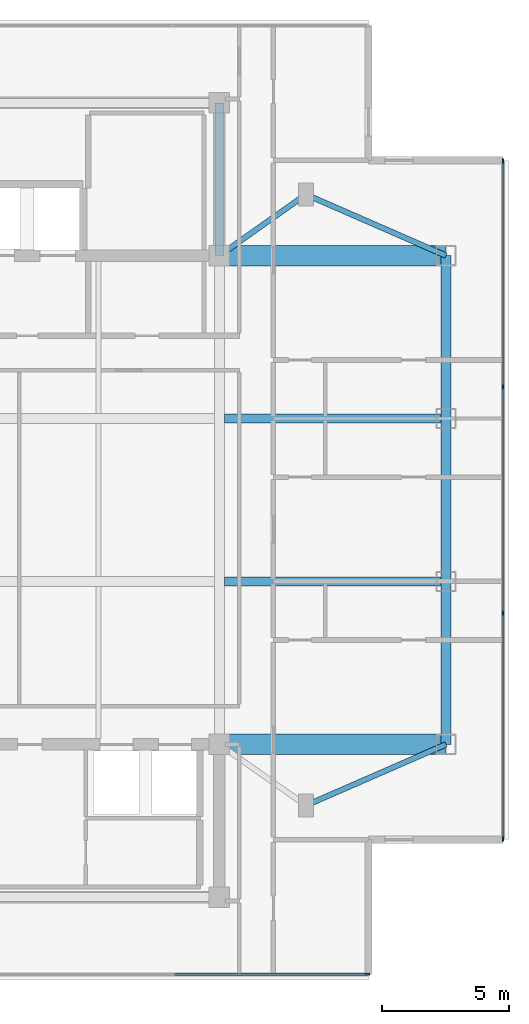
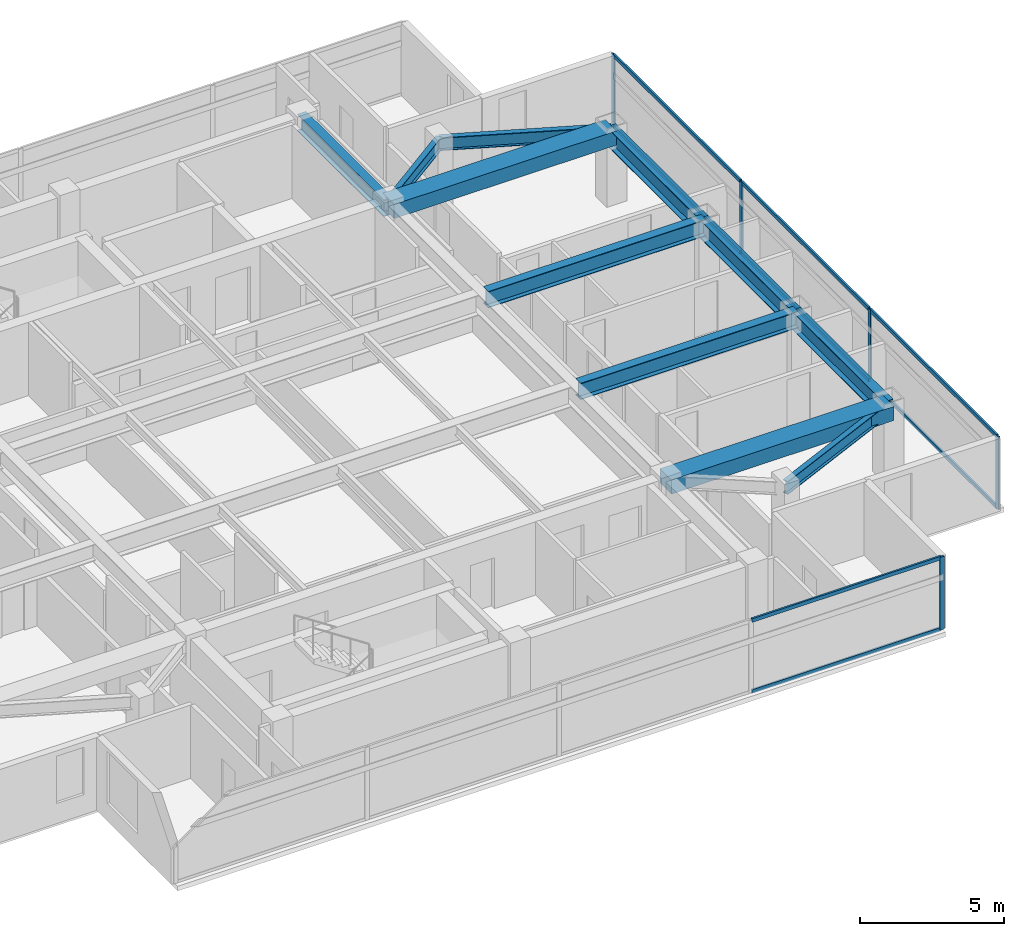
# One storey, part 4 of 12: 13 members, 11 beams, 2 elements without a shape of their own.
"""IFC4 building model written with IfcOpenShell, lengths in metres."""

from ifc_helpers import new_model, si_unit, direction, frame, origin, origin_2d, place, context, subcontext, project, spatial, rectangle, i_section, extrude, material, material_profile, profile_set, type_object, element, aggregate, save


model = new_model("IFC4")

# Units and contexts
model_context = context("Model", 3, precision=1e-05, world=origin(), true_north=direction((0.0, 1.0)))
body_context = subcontext(model_context, "Body", "Model", "MODEL_VIEW")
ifc_project = project(units=[si_unit("LENGTHUNIT", "METRE"), si_unit("AREAUNIT", "SQUARE_METRE"), si_unit("VOLUMEUNIT", "CUBIC_METRE"), si_unit("PLANEANGLEUNIT", "RADIAN"), si_unit("MASSUNIT", "GRAM", prefix="KILO")], contexts=[model_context])

# Site, building, storey
site_placement = place(None, origin())
site = spatial("IfcSite", under=ifc_project, at=site_placement, CompositionType="ELEMENT")
building_placement = place(site_placement, origin())
building = spatial("IfcBuilding", under=site, at=building_placement, Name="Mirazonda Arch Towers", CompositionType="ELEMENT")
storey_placement = place(building_placement, frame((0.0, 0.0, 226.0)))
storey = spatial("IfcBuildingStorey", under=building, at=storey_placement, Name="L64", CompositionType="ELEMENT", Elevation=226.0)

# Beams
ifc_material_1 = material(Name="Steel ASTM A992 Grade 50", Category="steel")
ifc_material_profile_1 = material_profile(ifc_material_1, i_section(OverallWidth=0.381103515625, OverallDepth=0.77294921875, WebThickness=0.0166015625, FlangeThickness=0.027099609375, at=origin_2d()), Name="W30X173")
ifc_profile_set_1 = profile_set([ifc_material_profile_1], Name="Steel ASTM A992 Grade 50")
beam_type_1 = type_object("IfcBeamType", Name="BM-EXT-W30X173", PredefinedType="USERDEFINED", material=ifc_profile_set_1)
beam_1_placement = place(storey_placement, frame((38.89990234375, 18.39990234375, 2.71337890625), z_axis=(0.0, 1.0, 0.0), x_axis=(-1.0, 0.0, 0.0)))
element("IfcBeam", 1, at=beam_1_placement, inside=storey, type_object=beam_type_1, Name="L64 Floor Beam BM-T1-L64-NS-E-18", ObjectType="GIRDER", PredefinedType="USERDEFINED", context=body_context, shape_type="SweptSolid", body=[
    extrude(i_section(OverallWidth=0.381103515625, OverallDepth=0.77294921875, WebThickness=0.0166015625, FlangeThickness=0.027099609375, at=origin_2d()), origin(), (0.0, 0.0, 1.0), 6.400146484375),
])
beam_2_placement = place(storey_placement, frame((38.89990234375, 24.800048828125, 2.71337890625), z_axis=(0.0, 1.0, 0.0), x_axis=(-1.0, 0.0, 0.0)))
element("IfcBeam", 2, at=beam_2_placement, inside=storey, type_object=beam_type_1, Name="L64 Floor Beam BM-T1-L64-NS-E-24", ObjectType="GIRDER", PredefinedType="USERDEFINED", context=body_context, shape_type="SweptSolid", body=[
    extrude(i_section(OverallWidth=0.381103515625, OverallDepth=0.77294921875, WebThickness=0.0166015625, FlangeThickness=0.027099609375, at=origin_2d()), origin(), (0.0, 0.0, 1.0), 6.39990234375),
])
beam_3_placement = place(storey_placement, frame((38.89990234375, 31.199951171875, 2.71337890625), z_axis=(0.0, 1.0, 0.0), x_axis=(-1.0, 0.0, 0.0)))
element("IfcBeam", 3, at=beam_3_placement, inside=storey, type_object=beam_type_1, Name="L64 Floor Beam BM-T1-L64-NS-E-31", ObjectType="GIRDER", PredefinedType="USERDEFINED", context=body_context, shape_type="SweptSolid", body=[
    extrude(i_section(OverallWidth=0.381103515625, OverallDepth=0.77294921875, WebThickness=0.0166015625, FlangeThickness=0.027099609375, at=origin_2d()), origin(), (0.0, 0.0, 1.0), 6.400146484375),
])
ifc_material_profile_2 = material_profile(ifc_material_1, i_section(OverallWidth=0.214111328125, OverallDepth=0.549072265625, WebThickness=0.0146484375, FlangeThickness=0.023681640625, at=origin_2d()), Name="W21X93")
ifc_profile_set_2 = profile_set([ifc_material_profile_2], Name="Steel ASTM A992 Grade 50")
beam_type_2 = type_object("IfcBeamType", Name="BM-INT-W21X93", PredefinedType="BEAM", material=ifc_profile_set_2)
beam_4_placement = place(storey_placement, frame((33.39990234375, 16.0, 2.825439453125), z_axis=(0.916545343703, 0.399930785183, 0.0), x_axis=(-0.399930785183, 0.916545343703, 0.0)))
element("IfcBeam", 4, at=beam_4_placement, inside=storey, type_object=beam_type_2, Name="L64 Floor Beam BM-T1-L64-PL-SE2", PredefinedType="BEAM", context=body_context, shape_type="SweptSolid", body=[
    extrude(i_section(OverallWidth=0.214111328125, OverallDepth=0.549072265625, WebThickness=0.0146484375, FlangeThickness=0.023681640625, at=origin_2d()), origin(), (0.0, 0.0, 1.0), 6.000732421875),
])
beam_5_placement = place(storey_placement, frame((33.39990234375, 40.0, 2.825439453125), z_axis=(-0.816971114901, -0.576678591087, 0.0), x_axis=(0.576678591087, -0.816971114901, 0.0)))
element("IfcBeam", 5, at=beam_5_placement, inside=storey, type_object=beam_type_2, Name="L64 Floor Beam BM-T1-L64-PL-NE1", PredefinedType="BEAM", context=body_context, shape_type="SweptSolid", body=[
    extrude(i_section(OverallWidth=0.214111328125, OverallDepth=0.549072265625, WebThickness=0.0146484375, FlangeThickness=0.023681640625, at=origin_2d()), origin(), (0.0, 0.0, 1.0), 4.16162109375),
])
beam_6_placement = place(storey_placement, frame((33.39990234375, 40.0, 2.825439453125), z_axis=(0.916545343703, -0.399930785183, 0.0), x_axis=(0.399930785183, 0.916545343703, 0.0)))
element("IfcBeam", 6, at=beam_6_placement, inside=storey, type_object=beam_type_2, Name="L64 Floor Beam BM-T1-L64-PL-NE2", PredefinedType="BEAM", context=body_context, shape_type="SweptSolid", body=[
    extrude(i_section(OverallWidth=0.214111328125, OverallDepth=0.549072265625, WebThickness=0.0146484375, FlangeThickness=0.023681640625, at=origin_2d()), origin(), (0.0, 0.0, 1.0), 6.000732421875),
])
ifc_material_profile_3 = material_profile(ifc_material_1, i_section(OverallWidth=0.35498046875, OverallDepth=0.696044921875, WebThickness=0.015380859375, FlangeThickness=0.02490234375, at=origin_2d()), Name="W27X146")
ifc_profile_set_3 = profile_set([ifc_material_profile_3], Name="Steel ASTM A992 Grade 50")
beam_type_3 = type_object("IfcBeamType", Name="BM-INT-W27X146", PredefinedType="BEAM", material=ifc_profile_set_3)
for number, where, z_axis, x_axis, name in (
    (7, (30.199951171875, 24.800048828125, 2.751953125), (1.0, 0.0, 0.0), (0.0, 1.0, 0.0), "L64 Floor Beam BM-T1-L64-GE2"),
    (8, (30.199951171875, 31.199951171875, 2.751953125), (1.0, 0.0, 0.0), (0.0, 1.0, 0.0), "L64 Floor Beam BM-T1-L64-GE3"),
):
    element("IfcBeam", number, at=place(storey_placement, frame(where, z_axis=z_axis, x_axis=x_axis)), inside=storey, type_object=beam_type_3, Name=name, PredefinedType="BEAM", context=body_context, shape_type="SweptSolid", body=[
        extrude(i_section(OverallWidth=0.35498046875, OverallDepth=0.696044921875, WebThickness=0.015380859375, FlangeThickness=0.02490234375, at=origin_2d()), origin(), (0.0, 0.0, 1.0), 8.699951171875),
    ])
beam_7_placement = place(storey_placement, frame((30.0, 37.60009765625, 2.751953125), z_axis=(0.0, 1.0, 0.0), x_axis=(-1.0, 0.0, 0.0)))
element("IfcBeam", 9, at=beam_7_placement, inside=storey, type_object=beam_type_3, Name="L64 Floor Beam BM-T1-L64-CNE", PredefinedType="BEAM", context=body_context, shape_type="SweptSolid", body=[
    extrude(i_section(OverallWidth=0.35498046875, OverallDepth=0.696044921875, WebThickness=0.015380859375, FlangeThickness=0.02490234375, at=origin_2d()), origin(), (0.0, 0.0, 1.0), 6.0),
])
ifc_material_2 = material(Name="Concrete C60/75", Category="concrete")
ifc_material_profile_4 = material_profile(ifc_material_2, rectangle(XDim=0.800048828125, YDim=0.60009765625, at=origin_2d()), Name="RCCB800x600")
ifc_profile_set_4 = profile_set([ifc_material_profile_4], Name="Concrete C60/75")
beam_type_4 = type_object("IfcBeamType", Name="CB-INT-RCCB800x600", PredefinedType="SPANDREL", material=ifc_profile_set_4)
for number, where, z_axis, x_axis, name in (
    (10, (30.0, 37.60009765625, 2.800048828125), (1.0, 0.0, 0.0), (0.0, 1.0, 0.0), "L64 Floor Beam CBC-T1-L64-NE"),
    (11, (30.0, 18.39990234375, 2.800048828125), (1.0, 0.0, 0.0), (0.0, 1.0, 0.0), "L64 Floor Beam CBC-T1-L64-SE"),
):
    element("IfcBeam", number, at=place(storey_placement, frame(where, z_axis=z_axis, x_axis=x_axis)), inside=storey, type_object=beam_type_4, Name=name, PredefinedType="SPANDREL", context=body_context, shape_type="SweptSolid", body=[
        extrude(rectangle(XDim=0.800048828125, YDim=0.60009765625, at=origin_2d()), origin(), (0.0, 0.0, 1.0), 8.89990234375),
    ])

# Curtain wall, member
ifc_material_3 = material(Name="Anodised Aluminium and Low-E Glass", Category="aluminium")
curtain_wall_type = type_object("IfcCurtainWallType", Name="CW-RES-UNIT", PredefinedType="NOTDEFINED", material=ifc_material_3)
curtain_wall_1_placement = place(storey_placement, origin())
curtain_wall_1 = element("IfcCurtainWall", 12, at=curtain_wall_1_placement, inside=storey, type_object=curtain_wall_type, Name="L64 T1 S Facade CW-L64-T1-S", PredefinedType="NOTDEFINED")
ifc_material_4 = material(Name="Anodised Aluminium Alloy", Category="aluminium")
ifc_material_profile_5 = material_profile(ifc_material_4, rectangle(XDim=0.074951171875, YDim=0.175048828125, at=origin_2d()), Name="ALU-MULL-75x175")
ifc_profile_set_5 = profile_set([ifc_material_profile_5], Name="Anodised Aluminium Alloy")
member_type_1 = type_object("IfcMemberType", Name="MULL-CW-RES-UNIT", PredefinedType="MULLION", material=ifc_profile_set_5)
member_1_placement = place(storey_placement, frame((35.8125, 9.364013671875, 0.0), z_axis=(0.0, 0.0, 1.0), x_axis=(0.0, -1.0, 0.0)))
member_1 = element("IfcMember", 13, at=member_1_placement, type_object=member_type_1, Name="CW-104 mullion 1", PredefinedType="MULLION", context=body_context, shape_type="SweptSolid", body=[
    extrude(rectangle(XDim=0.074951171875, YDim=0.175048828125, at=origin_2d()), origin(), (0.0, 0.0, 1.0), 3.080078125),
])

# Curtain wall, members
curtain_wall_2_placement = place(storey_placement, origin())
curtain_wall_2 = element("IfcCurtainWall", 14, at=curtain_wall_2_placement, inside=storey, type_object=curtain_wall_type, Name="L64 T1 E Facade CW-L64-T1-E", PredefinedType="NOTDEFINED")
member_2_placement = place(storey_placement, frame((41.139892578125, 14.69140625, 0.0), z_axis=(0.0, 0.0, 1.0), x_axis=(-1.0, 0.0, 0.0)))
member_2 = element("IfcMember", 15, at=member_2_placement, type_object=member_type_1, Name="CW-104 mullion 1", PredefinedType="MULLION", context=body_context, shape_type="SweptSolid", body=[
    extrude(rectangle(XDim=0.074951171875, YDim=0.175048828125, at=origin_2d()), origin(), (0.0, 0.0, 1.0), 3.080078125),
])
member_3_placement = place(storey_placement, frame((41.139892578125, 23.55126953125, 0.0), z_axis=(0.0, 0.0, 1.0), x_axis=(-1.0, 0.0, 0.0)))
member_3 = element("IfcMember", 16, at=member_3_placement, type_object=member_type_1, Name="CW-104 mullion 2", PredefinedType="MULLION", context=body_context, shape_type="SweptSolid", body=[
    extrude(rectangle(XDim=0.074951171875, YDim=0.175048828125, at=origin_2d()), origin(), (0.0, 0.0, 1.0), 3.080078125),
])
member_4_placement = place(storey_placement, frame((41.139892578125, 32.44873046875, 0.0), z_axis=(0.0, 0.0, 1.0), x_axis=(-1.0, 0.0, 0.0)))
member_4 = element("IfcMember", 17, at=member_4_placement, type_object=member_type_1, Name="CW-104 mullion 3", PredefinedType="MULLION", context=body_context, shape_type="SweptSolid", body=[
    extrude(rectangle(XDim=0.074951171875, YDim=0.175048828125, at=origin_2d()), origin(), (0.0, 0.0, 1.0), 3.080078125),
])
member_5_placement = place(storey_placement, frame((41.139892578125, 41.30859375, 0.0), z_axis=(0.0, 0.0, 1.0), x_axis=(-1.0, 0.0, 0.0)))
member_5 = element("IfcMember", 18, at=member_5_placement, type_object=member_type_1, Name="CW-104 mullion 4", PredefinedType="MULLION", context=body_context, shape_type="SweptSolid", body=[
    extrude(rectangle(XDim=0.074951171875, YDim=0.175048828125, at=origin_2d()), origin(), (0.0, 0.0, 1.0), 3.080078125),
])

# Member
ifc_material_profile_6 = material_profile(ifc_material_4, rectangle(XDim=0.074951171875, YDim=0.155029296875, at=origin_2d()), Name="ALU-TRAN-75x155")
ifc_profile_set_6 = profile_set([ifc_material_profile_6], Name="Anodised Aluminium Alloy")
member_type_2 = type_object("IfcMemberType", Name="TRAN-CW-RES-UNIT", PredefinedType="USERDEFINED", material=ifc_profile_set_6)
member_6_placement = place(storey_placement, frame((35.77490234375, 9.364013671875, 0.03759765625), z_axis=(-1.0, 0.0, 0.0), x_axis=(0.0, -1.0, 0.0)))
member_6 = element("IfcMember", 19, at=member_6_placement, type_object=member_type_2, Name="CW-104 transom 1.1", ObjectType="TRANSOM", PredefinedType="USERDEFINED", context=body_context, shape_type="SweptSolid", body=[
    extrude(rectangle(XDim=0.074951171875, YDim=0.155029296875, at=origin_2d()), origin(), (0.0, 0.0, 1.0), 7.5625),
])

member_7_placement = place(storey_placement, frame((35.77490234375, 9.364013671875, 3.04248046875), z_axis=(-1.0, 0.0, 0.0), x_axis=(0.0, -1.0, 0.0)))
member_7 = element("IfcMember", 20, at=member_7_placement, type_object=member_type_2, Name="CW-104 transom 1.2", ObjectType="TRANSOM", PredefinedType="USERDEFINED", context=body_context, shape_type="SweptSolid", body=[
    extrude(rectangle(XDim=0.074951171875, YDim=0.155029296875, at=origin_2d()), origin(), (0.0, 0.0, 1.0), 7.5625),
])

aggregate(curtain_wall_1, [member_1, member_6, member_7])

member_8_placement = place(storey_placement, frame((41.139892578125, 14.72900390625, 0.03759765625), z_axis=(0.0, 1.0, 0.0), x_axis=(-1.0, 0.0, 0.0)))
member_8 = element("IfcMember", 21, at=member_8_placement, type_object=member_type_2, Name="CW-104 transom 1.1", ObjectType="TRANSOM", PredefinedType="USERDEFINED", context=body_context, shape_type="SweptSolid", body=[
    extrude(rectangle(XDim=0.074951171875, YDim=0.155029296875, at=origin_2d()), origin(), (0.0, 0.0, 1.0), 8.784912109375),
])

member_9_placement = place(storey_placement, frame((41.139892578125, 14.72900390625, 3.04248046875), z_axis=(0.0, 1.0, 0.0), x_axis=(-1.0, 0.0, 0.0)))
member_9 = element("IfcMember", 22, at=member_9_placement, type_object=member_type_2, Name="CW-104 transom 1.2", ObjectType="TRANSOM", PredefinedType="USERDEFINED", context=body_context, shape_type="SweptSolid", body=[
    extrude(rectangle(XDim=0.074951171875, YDim=0.155029296875, at=origin_2d()), origin(), (0.0, 0.0, 1.0), 8.784912109375),
])

member_10_placement = place(storey_placement, frame((41.139892578125, 23.5888671875, 0.03759765625), z_axis=(0.0, 1.0, 0.0), x_axis=(-1.0, 0.0, 0.0)))
member_10 = element("IfcMember", 23, at=member_10_placement, type_object=member_type_2, Name="CW-104 transom 2.1", ObjectType="TRANSOM", PredefinedType="USERDEFINED", context=body_context, shape_type="SweptSolid", body=[
    extrude(rectangle(XDim=0.074951171875, YDim=0.155029296875, at=origin_2d()), origin(), (0.0, 0.0, 1.0), 8.822265625),
])

member_11_placement = place(storey_placement, frame((41.139892578125, 23.5888671875, 3.04248046875), z_axis=(0.0, 1.0, 0.0), x_axis=(-1.0, 0.0, 0.0)))
member_11 = element("IfcMember", 24, at=member_11_placement, type_object=member_type_2, Name="CW-104 transom 2.2", ObjectType="TRANSOM", PredefinedType="USERDEFINED", context=body_context, shape_type="SweptSolid", body=[
    extrude(rectangle(XDim=0.074951171875, YDim=0.155029296875, at=origin_2d()), origin(), (0.0, 0.0, 1.0), 8.822265625),
])

member_12_placement = place(storey_placement, frame((41.139892578125, 32.486083984375, 0.03759765625), z_axis=(0.0, 1.0, 0.0), x_axis=(-1.0, 0.0, 0.0)))
member_12 = element("IfcMember", 25, at=member_12_placement, type_object=member_type_2, Name="CW-104 transom 3.1", ObjectType="TRANSOM", PredefinedType="USERDEFINED", context=body_context, shape_type="SweptSolid", body=[
    extrude(rectangle(XDim=0.074951171875, YDim=0.155029296875, at=origin_2d()), origin(), (0.0, 0.0, 1.0), 8.784912109375),
])

member_13_placement = place(storey_placement, frame((41.139892578125, 32.486083984375, 3.04248046875), z_axis=(0.0, 1.0, 0.0), x_axis=(-1.0, 0.0, 0.0)))
member_13 = element("IfcMember", 26, at=member_13_placement, type_object=member_type_2, Name="CW-104 transom 3.2", ObjectType="TRANSOM", PredefinedType="USERDEFINED", context=body_context, shape_type="SweptSolid", body=[
    extrude(rectangle(XDim=0.074951171875, YDim=0.155029296875, at=origin_2d()), origin(), (0.0, 0.0, 1.0), 8.784912109375),
])

aggregate(curtain_wall_2, [member_2, member_3, member_4, member_5, member_8, member_9, member_10, member_11, member_12, member_13])

save(model, "model.ifc")
